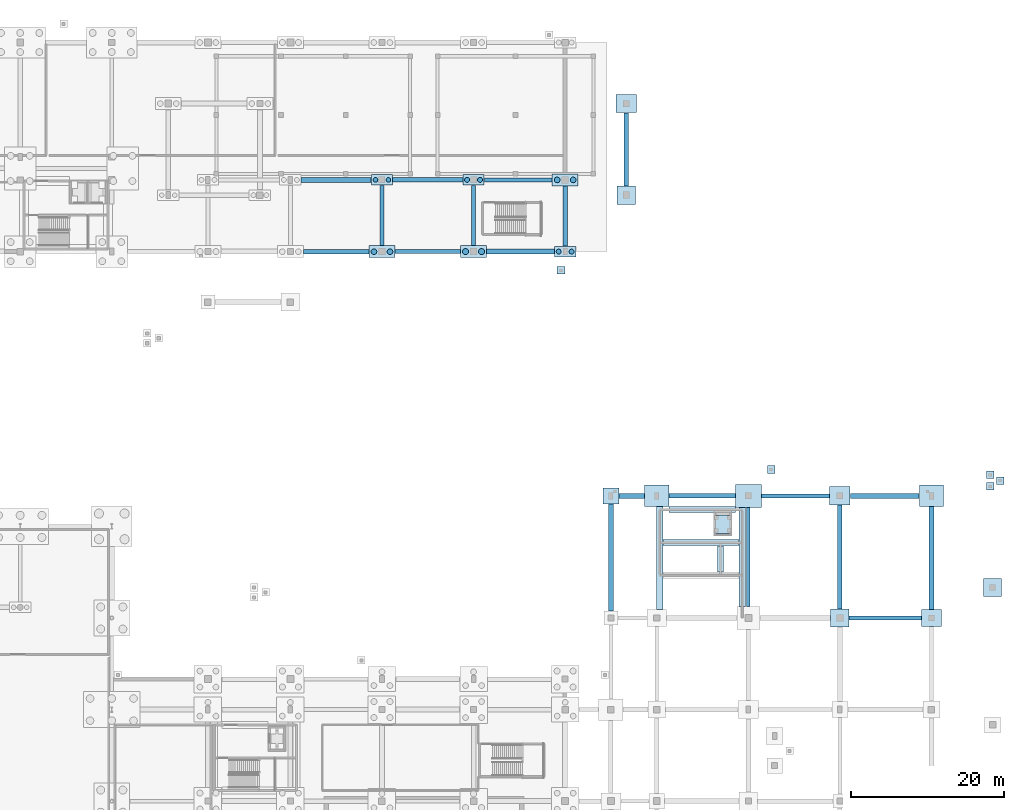
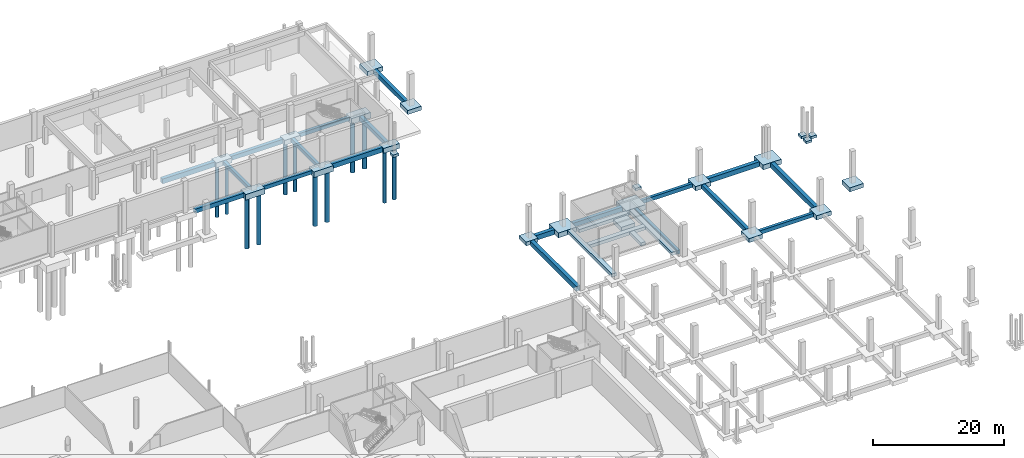
# One storey, part 7 of 42: 46 footings, 12 piles.
"""IFC4 building model written with IfcOpenShell, lengths in metres."""

from ifc_helpers import new_model, si_unit, direction, frame, origin, origin_2d, place, context, subcontext, project, spatial, rectangle, circle, extrude, material, material_profile, profile_set, type_object, element, save


model = new_model("IFC4")

# Units and contexts
model_context = context("Model", 3, precision=1e-05, world=origin(), true_north=direction((0.0, 1.0)))
body_context = subcontext(model_context, "Body", "Model", "MODEL_VIEW")
ifc_project = project(units=[si_unit("LENGTHUNIT", "METRE"), si_unit("AREAUNIT", "SQUARE_METRE"), si_unit("VOLUMEUNIT", "CUBIC_METRE"), si_unit("PLANEANGLEUNIT", "RADIAN"), si_unit("MASSUNIT", "GRAM", prefix="KILO"), si_unit("THERMODYNAMICTEMPERATUREUNIT", "KELVIN"), si_unit("POWERUNIT", "WATT")], contexts=[model_context])

# Site, building, storey
site_placement = place(None, origin())
site = spatial("IfcSite", under=ifc_project, at=site_placement, CompositionType="ELEMENT")
building_placement = place(site_placement, origin())
building = spatial("IfcBuilding", under=site, at=building_placement, Name="Solmara Park Aquatics Centre", CompositionType="ELEMENT")
storey_placement = place(building_placement, frame((0.0, 0.0, -5.39990234375)))
storey = spatial("IfcBuildingStorey", under=building, at=storey_placement, Name="B1", CompositionType="ELEMENT", Elevation=-5.39990234375)

# Footings
ifc_material = material(Name="Watertight Concrete C45/55", Category="concrete")
footing_type_1 = type_object("IfcFootingType", Name="STR-FB-500x700", PredefinedType="FOOTING_BEAM", material=ifc_material)
footing_1_placement = place(storey_placement, frame((197.949951171875, 60.60009765625, -1.25), z_axis=(0.0, 0.0, 1.0), x_axis=(1.0, 0.0, 0.0)))
element("IfcFooting", 1, at=footing_1_placement, inside=storey, type_object=footing_type_1, Name="Ground Tie Beam FB-054", PredefinedType="FOOTING_BEAM", context=body_context, shape_type="SweptSolid", body=[
    extrude(rectangle(XDim=9.47998046875, YDim=0.5, at=origin_2d()), origin(), (0.0, 0.0, 1.0), 0.699951171875),
])
footing_2_placement = place(storey_placement, frame((186.175048828125, 76.60009765625, -1.25), z_axis=(0.0, 0.0, 1.0), x_axis=(1.0, 0.0, 0.0)))
element("IfcFooting", 2, at=footing_2_placement, inside=storey, type_object=footing_type_1, Name="Ground Tie Beam FB-068", PredefinedType="FOOTING_BEAM", context=body_context, shape_type="SweptSolid", body=[
    extrude(rectangle(XDim=8.929931640625, YDim=0.5, at=origin_2d()), origin(), (0.0, 0.0, 1.0), 0.699951171875),
])
footing_3_placement = place(storey_placement, frame((138.0, 108.60009765625, -1.25), z_axis=(0.0, 0.0, 1.0), x_axis=(1.0, 0.0, 0.0)))
element("IfcFooting", 3, at=footing_3_placement, inside=storey, type_object=footing_type_1, Name="Ground Tie Beam FB-087", PredefinedType="FOOTING_BEAM", context=body_context, shape_type="SweptSolid", body=[
    extrude(rectangle(XDim=8.580078125, YDim=0.5, at=origin_2d()), origin(), (0.0, 0.0, 1.0), 0.699951171875),
])
footing_4_placement = place(storey_placement, frame((149.85009765625, 118.0, -1.25), z_axis=(0.0, 0.0, 1.0), x_axis=(1.0, 0.0, 0.0)))
element("IfcFooting", 4, at=footing_4_placement, inside=storey, type_object=footing_type_1, Name="Ground Tie Beam FB-093", PredefinedType="FOOTING_BEAM", context=body_context, shape_type="SweptSolid", body=[
    extrude(rectangle(XDim=8.8798828125, YDim=0.5, at=origin_2d()), origin(), (0.0, 0.0, 1.0), 0.699951171875),
])
for number, where, z_axis, x_axis, name in (
    (5, (132.0, 113.35009765625, -1.25), (0.0, 0.0, 1.0), (1.0, 0.0, 0.0), "Ground Tie Beam FB-170"),
    (6, (144.0, 113.35009765625, -1.25), (0.0, 0.0, 1.0), (1.0, 0.0, 0.0), "Ground Tie Beam FB-173"),
):
    element("IfcFooting", number, at=place(storey_placement, frame(where, z_axis=z_axis, x_axis=x_axis)), inside=storey, type_object=footing_type_1, Name=name, PredefinedType="FOOTING_BEAM", context=body_context, shape_type="SweptSolid", body=[
        extrude(rectangle(XDim=0.5, YDim=7.8798828125, at=origin_2d()), origin(), (0.0, 0.0, 1.0), 0.699951171875),
    ])
footing_5_placement = place(storey_placement, frame((180.0, 68.60009765625, -1.25), z_axis=(0.0, 0.0, 1.0), x_axis=(1.0, 0.0, 0.0)))
element("IfcFooting", 7, at=footing_5_placement, inside=storey, type_object=footing_type_1, Name="Ground Tie Beam FB-190", PredefinedType="FOOTING_BEAM", context=body_context, shape_type="SweptSolid", body=[
    extrude(rectangle(XDim=0.5, YDim=12.97998046875, at=origin_2d()), origin(), (0.0, 0.0, 1.0), 0.699951171875),
])
footing_type_2 = type_object("IfcFootingType", Name="STR-FB-600x800", PredefinedType="FOOTING_BEAM", material=ifc_material)
footing_6_placement = place(storey_placement, frame((173.949951171875, 76.60009765625, -1.35009765625), z_axis=(0.0, 0.0, 1.0), x_axis=(1.0, 0.0, 0.0)))
element("IfcFooting", 8, at=footing_6_placement, inside=storey, type_object=footing_type_2, Name="Ground Tie Beam FB-067", PredefinedType="FOOTING_BEAM", context=body_context, shape_type="SweptSolid", body=[
    extrude(rectangle(XDim=8.679931640625, YDim=0.60009765625, at=origin_2d()), origin(), (0.0, 0.0, 1.0), 0.800048828125),
])
footing_7_placement = place(storey_placement, frame((126.0, 108.60009765625, -1.35009765625), z_axis=(0.0, 0.0, 1.0), x_axis=(1.0, 0.0, 0.0)))
element("IfcFooting", 9, at=footing_7_placement, inside=storey, type_object=footing_type_2, Name="Ground Tie Beam FB-086", PredefinedType="FOOTING_BEAM", context=body_context, shape_type="SweptSolid", body=[
    extrude(rectangle(XDim=8.580078125, YDim=0.60009765625, at=origin_2d()), origin(), (0.0, 0.0, 1.0), 0.800048828125),
])
footing_8_placement = place(storey_placement, frame((138.0, 118.0, -1.35009765625), z_axis=(0.0, 0.0, 1.0), x_axis=(1.0, 0.0, 0.0)))
element("IfcFooting", 10, at=footing_8_placement, inside=storey, type_object=footing_type_2, Name="Ground Tie Beam FB-092", PredefinedType="FOOTING_BEAM", context=body_context, shape_type="SweptSolid", body=[
    extrude(rectangle(XDim=9.179931640625, YDim=0.60009765625, at=origin_2d()), origin(), (0.0, 0.0, 1.0), 0.800048828125),
])
footing_9_placement = place(storey_placement, frame((156.0, 113.25, -1.35009765625), z_axis=(0.0, 0.0, 1.0), x_axis=(1.0, 0.0, 0.0)))
element("IfcFooting", 11, at=footing_9_placement, inside=storey, type_object=footing_type_2, Name="Ground Tie Beam FB-175", PredefinedType="FOOTING_BEAM", context=body_context, shape_type="SweptSolid", body=[
    extrude(rectangle(XDim=0.60009765625, YDim=7.8798828125, at=origin_2d()), origin(), (0.0, 0.0, 1.0), 0.800048828125),
])
footing_10_placement = place(storey_placement, frame((164.0, 122.0, -1.35009765625), z_axis=(0.0, 0.0, 1.0), x_axis=(1.0, 0.0, 0.0)))
element("IfcFooting", 12, at=footing_10_placement, inside=storey, type_object=footing_type_2, Name="Ground Tie Beam FB-181", PredefinedType="FOOTING_BEAM", context=body_context, shape_type="SweptSolid", body=[
    extrude(rectangle(XDim=0.60009765625, YDim=9.580078125, at=origin_2d()), origin(), (0.0, 0.0, 1.0), 0.800048828125),
])
footing_11_placement = place(storey_placement, frame((192.0, 68.60009765625, -1.35009765625), z_axis=(0.0, 0.0, 1.0), x_axis=(1.0, 0.0, 0.0)))
element("IfcFooting", 13, at=footing_11_placement, inside=storey, type_object=footing_type_2, Name="Ground Tie Beam FB-195", PredefinedType="FOOTING_BEAM", context=body_context, shape_type="SweptSolid", body=[
    extrude(rectangle(XDim=0.60009765625, YDim=13.580078125, at=origin_2d()), origin(), (0.0, 0.0, 1.0), 0.800048828125),
])
footing_type_3 = type_object("IfcFootingType", Name="STR-FB-650x900", PredefinedType="FOOTING_BEAM", material=ifc_material)
footing_12_placement = place(storey_placement, frame((164.72509765625, 76.60009765625, -1.449951171875), z_axis=(0.0, 0.0, 1.0), x_axis=(1.0, 0.0, 0.0)))
element("IfcFooting", 14, at=footing_12_placement, inside=storey, type_object=footing_type_3, Name="Ground Tie Beam FB-066", PredefinedType="FOOTING_BEAM", context=body_context, shape_type="SweptSolid", body=[
    extrude(rectangle(XDim=3.330078125, YDim=0.64990234375, at=origin_2d()), origin(), (0.0, 0.0, 1.0), 0.89990234375),
])
footing_13_placement = place(storey_placement, frame((197.875, 76.60009765625, -1.449951171875), z_axis=(0.0, 0.0, 1.0), x_axis=(1.0, 0.0, 0.0)))
element("IfcFooting", 15, at=footing_13_placement, inside=storey, type_object=footing_type_3, Name="Ground Tie Beam FB-069", PredefinedType="FOOTING_BEAM", context=body_context, shape_type="SweptSolid", body=[
    extrude(rectangle(XDim=9.030029296875, YDim=0.64990234375, at=origin_2d()), origin(), (0.0, 0.0, 1.0), 0.89990234375),
])
footing_14_placement = place(storey_placement, frame((150.14990234375, 108.60009765625, -1.449951171875), z_axis=(0.0, 0.0, 1.0), x_axis=(1.0, 0.0, 0.0)))
element("IfcFooting", 16, at=footing_14_placement, inside=storey, type_object=footing_type_3, Name="Ground Tie Beam FB-088", PredefinedType="FOOTING_BEAM", context=body_context, shape_type="SweptSolid", body=[
    extrude(rectangle(XDim=8.8798828125, YDim=0.64990234375, at=origin_2d()), origin(), (0.0, 0.0, 1.0), 0.89990234375),
])
footing_15_placement = place(storey_placement, frame((126.0, 118.0, -1.449951171875), z_axis=(0.0, 0.0, 1.0), x_axis=(1.0, 0.0, 0.0)))
element("IfcFooting", 17, at=footing_15_placement, inside=storey, type_object=footing_type_3, Name="Ground Tie Beam FB-091", PredefinedType="FOOTING_BEAM", context=body_context, shape_type="SweptSolid", body=[
    extrude(rectangle(XDim=9.179931640625, YDim=0.64990234375, at=origin_2d()), origin(), (0.0, 0.0, 1.0), 0.89990234375),
])
footing_16_placement = place(storey_placement, frame((162.0, 68.52490234375, -1.449951171875), z_axis=(0.0, 0.0, 1.0), x_axis=(1.0, 0.0, 0.0)))
element("IfcFooting", 18, at=footing_16_placement, inside=storey, type_object=footing_type_3, Name="Ground Tie Beam FB-180", PredefinedType="FOOTING_BEAM", context=body_context, shape_type="SweptSolid", body=[
    extrude(rectangle(XDim=0.64990234375, YDim=14.030029296875, at=origin_2d()), origin(), (0.0, 0.0, 1.0), 0.89990234375),
])
footing_17_placement = place(storey_placement, frame((204.0, 68.449951171875, -1.449951171875), z_axis=(0.0, 0.0, 1.0), x_axis=(1.0, 0.0, 0.0)))
element("IfcFooting", 19, at=footing_17_placement, inside=storey, type_object=footing_type_3, Name="Ground Tie Beam FB-200", PredefinedType="FOOTING_BEAM", context=body_context, shape_type="SweptSolid", body=[
    extrude(rectangle(XDim=0.64990234375, YDim=13.47998046875, at=origin_2d()), origin(), (0.0, 0.0, 1.0), 0.89990234375),
])
footing_type_4 = type_object("IfcFootingType", Name="STR-PC-2P600", PredefinedType="PILE_CAP", material=ifc_material)
for number, where, z_axis, x_axis, name in (
    (20, (132.0, 118.0, -1.449951171875), (0.0, 0.0, 1.0), (1.0, 0.0, 0.0), "Pile Cap PC-093"),
    (21, (144.0, 118.0, -1.449951171875), (0.0, 0.0, 1.0), (1.0, 0.0, 0.0), "Pile Cap PC-100"),
    (22, (156.0, 108.60009765625, -1.449951171875), (0.0, 0.0, 1.0), (1.0, 0.0, 0.0), "Pile Cap PC-106"),
):
    element("IfcFooting", number, at=place(storey_placement, frame(where, z_axis=z_axis, x_axis=x_axis)), inside=storey, type_object=footing_type_4, Name=name, PredefinedType="PILE_CAP", context=body_context, shape_type="SweptSolid", body=[
        extrude(rectangle(XDim=2.800048828125, YDim=1.39990234375, at=origin_2d()), origin(), (0.0, 0.0, 1.0), 0.89990234375),
    ])
footing_type_5 = type_object("IfcFootingType", Name="STR-PC-2P750", PredefinedType="PILE_CAP", material=ifc_material)
for number, where, z_axis, x_axis, name in (
    (23, (132.0, 108.60009765625, -1.60009765625), (0.0, 0.0, 1.0), (1.0, 0.0, 0.0), "Pile Cap PC-092"),
    (24, (144.0, 108.60009765625, -1.60009765625), (0.0, 0.0, 1.0), (1.0, 0.0, 0.0), "Pile Cap PC-099"),
    (25, (156.0, 118.0, -1.60009765625), (0.0, 0.0, 1.0), (1.0, 0.0, 0.0), "Pile Cap PC-107"),
):
    element("IfcFooting", number, at=place(storey_placement, frame(where, z_axis=z_axis, x_axis=x_axis)), inside=storey, type_object=footing_type_5, Name=name, PredefinedType="PILE_CAP", context=body_context, shape_type="SweptSolid", body=[
        extrude(rectangle(XDim=3.39990234375, YDim=1.60009765625, at=origin_2d()), origin(), (0.0, 0.0, 1.0), 1.050048828125),
    ])
footing_type_6 = type_object("IfcFootingType", Name="STR-PF-1000", PredefinedType="PAD_FOOTING", material=ifc_material)
for number, where, z_axis, x_axis, name in (
    (26, (155.449951171875, 106.14990234375, -1.0), (0.0, 0.0, 1.0), (1.0, 0.0, 0.0), "Apron Foundation Pier SLB-L00-APR-C-2 Footing"),
    (27, (183.0, 80.050048828125, -1.0), (0.0, 0.0, 1.0), (1.0, 0.0, 0.0), "Apron Foundation Pier SLB-L00-APR-V3N-3 Footing"),
    (28, (211.699951171875, 77.85009765625, -1.0), (0.0, 0.0, 1.0), (1.0, 0.0, 0.0), "Main Park Entrance North Accessible Ramp Foundation Pier 1 Footing"),
    (29, (211.699951171875, 79.35009765625, -1.0), (0.0, 0.0, 1.0), (1.0, 0.0, 0.0), "Main Park Entrance North Accessible Ramp Foundation Pier 2 Footing"),
    (30, (213.0, 78.60009765625, -1.0), (0.0, 0.0, 1.0), (1.0, 0.0, 0.0), "Main Park Entrance North Accessible Ramp Foundation Pier 3 Footing"),
):
    element("IfcFooting", number, at=place(storey_placement, frame(where, z_axis=z_axis, x_axis=x_axis)), inside=storey, type_object=footing_type_6, Name=name, PredefinedType="PAD_FOOTING", context=body_context, shape_type="SweptSolid", body=[
        extrude(rectangle(XDim=1.0, YDim=1.0, at=origin_2d()), origin(), (0.0, 0.0, 1.0), 0.449951171875),
    ])
footing_type_7 = type_object("IfcFootingType", Name="STR-PF-2100", PredefinedType="PAD_FOOTING", material=ifc_material)
footing_18_placement = place(storey_placement, frame((162.0, 76.60009765625, -1.25), z_axis=(0.0, 0.0, 1.0), x_axis=(1.0, 0.0, 0.0)))
element("IfcFooting", 31, at=footing_18_placement, inside=storey, type_object=footing_type_7, Name="Pad Footing PF-012", PredefinedType="PAD_FOOTING", context=body_context, shape_type="SweptSolid", body=[
    extrude(rectangle(XDim=2.10009765625, YDim=2.10009765625, at=origin_2d()), origin(), (0.0, 0.0, 1.0), 0.699951171875),
])
footing_type_8 = type_object("IfcFootingType", Name="STR-PF-2400", PredefinedType="PAD_FOOTING", material=ifc_material)
for number, where, z_axis, x_axis, name in (
    (32, (164.0, 116.0, -1.300048828125), (0.0, 0.0, 1.0), (1.0, 0.0, 0.0), "Pad Footing PF-013"),
    (33, (192.0, 60.60009765625, -1.300048828125), (0.0, 0.0, 1.0), (1.0, 0.0, 0.0), "Pad Footing PF-033"),
    (34, (212.0, 64.60009765625, -1.300048828125), (0.0, 0.0, 1.0), (1.0, 0.0, 0.0), "Pad Footing PF-043"),
    (35, (176.64990234375, 72.89990234375, -1.300048828125), (0.0, 0.0, 1.0), (1.0, 0.0, 0.0), "Lift Shaft LF-07 Pit Pad Footing"),
):
    element("IfcFooting", number, at=place(storey_placement, frame(where, z_axis=z_axis, x_axis=x_axis)), inside=storey, type_object=footing_type_8, Name=name, PredefinedType="PAD_FOOTING", context=body_context, shape_type="SweptSolid", body=[
        extrude(rectangle(XDim=2.39990234375, YDim=2.39990234375, at=origin_2d()), origin(), (0.0, 0.0, 1.0), 0.75),
    ])
footing_type_9 = type_object("IfcFootingType", Name="STR-PF-2600", PredefinedType="PAD_FOOTING", material=ifc_material)
footing_19_placement = place(storey_placement, frame((204.0, 60.60009765625, -1.330078125), z_axis=(0.0, 0.0, 1.0), x_axis=(1.0, 0.0, 0.0)))
element("IfcFooting", 36, at=footing_19_placement, inside=storey, type_object=footing_type_9, Name="Pad Footing PF-039", PredefinedType="PAD_FOOTING", context=body_context, shape_type="SweptSolid", body=[
    extrude(rectangle(XDim=2.60009765625, YDim=2.199951171875, at=origin_2d()), origin(), (0.0, 0.0, 1.0), 0.780029296875),
])
footing_type_10 = type_object("IfcFootingType", Name="STR-PF-2700", PredefinedType="PAD_FOOTING", material=ifc_material)
for number, where, z_axis, x_axis, name in (
    (37, (164.0, 128.0, -1.35009765625), (0.0, 0.0, 1.0), (1.0, 0.0, 0.0), "Pad Footing PF-014"),
    (38, (192.0, 76.60009765625, -1.35009765625), (0.0, 0.0, 1.0), (1.0, 0.0, 0.0), "Pad Footing PF-034"),
):
    element("IfcFooting", number, at=place(storey_placement, frame(where, z_axis=z_axis, x_axis=x_axis)), inside=storey, type_object=footing_type_10, Name=name, PredefinedType="PAD_FOOTING", context=body_context, shape_type="SweptSolid", body=[
        extrude(rectangle(XDim=2.699951171875, YDim=2.39990234375, at=origin_2d()), origin(), (0.0, 0.0, 1.0), 0.800048828125),
    ])
footing_type_11 = type_object("IfcFootingType", Name="STR-PF-3200", PredefinedType="PAD_FOOTING", material=ifc_material)
for number, where, z_axis, x_axis, name in (
    (39, (168.0, 76.60009765625, -1.449951171875), (0.0, 0.0, 1.0), (1.0, 0.0, 0.0), "Pad Footing PF-020"),
    (40, (204.0, 76.60009765625, -1.449951171875), (0.0, 0.0, 1.0), (1.0, 0.0, 0.0), "Pad Footing PF-040"),
):
    element("IfcFooting", number, at=place(storey_placement, frame(where, z_axis=z_axis, x_axis=x_axis)), inside=storey, type_object=footing_type_11, Name=name, PredefinedType="PAD_FOOTING", context=body_context, shape_type="SweptSolid", body=[
        extrude(rectangle(XDim=3.199951171875, YDim=2.800048828125, at=origin_2d()), origin(), (0.0, 0.0, 1.0), 0.89990234375),
    ])
footing_type_12 = type_object("IfcFootingType", Name="STR-PF-3400", PredefinedType="PAD_FOOTING", material=ifc_material)
footing_20_placement = place(storey_placement, frame((180.0, 76.60009765625, -1.5), z_axis=(0.0, 0.0, 1.0), x_axis=(1.0, 0.0, 0.0)))
element("IfcFooting", 41, at=footing_20_placement, inside=storey, type_object=footing_type_12, Name="Pad Footing PF-026", PredefinedType="PAD_FOOTING", context=body_context, shape_type="SweptSolid", body=[
    extrude(rectangle(XDim=3.39990234375, YDim=3.0, at=origin_2d()), origin(), (0.0, 0.0, 1.0), 0.949951171875),
])

# Piles
ifc_material_profile_1 = material_profile(ifc_material, circle(Radius=0.300048828125, at=origin_2d()), Name="BORED PILE D600")
ifc_profile_set_1 = profile_set([ifc_material_profile_1], Name="Watertight Concrete C45/55")
pile_type_1 = type_object("IfcPileType", Name="STR-PILE-D600", PredefinedType="BORED", material=ifc_profile_set_1)
for number, where, z_axis, x_axis, name in (
    (42, (131.14990234375, 118.0, -1.35009765625), (0.0, 0.0, -1.0), (1.0, 0.0, 0.0), "Bored Pile PL-0317"),
    (43, (132.85009765625, 118.0, -1.35009765625), (0.0, 0.0, -1.0), (1.0, 0.0, 0.0), "Bored Pile PL-0318"),
):
    element("IfcPile", number, at=place(storey_placement, frame(where, z_axis=z_axis, x_axis=x_axis)), inside=storey, type_object=pile_type_1, Name=name, PredefinedType="BORED", context=body_context, shape_type="SweptSolid", body=[
        extrude(circle(Radius=0.300048828125, at=origin_2d()), origin(), (0.0, 0.0, 1.0), 9.75),
    ])
ifc_material_profile_2 = material_profile(ifc_material, circle(Radius=0.324951171875, at=origin_2d()), Name="BORED PILE D650")
ifc_profile_set_2 = profile_set([ifc_material_profile_2], Name="Watertight Concrete C45/55")
pile_type_2 = type_object("IfcPileType", Name="STR-PILE-D650", PredefinedType="BORED", material=ifc_profile_set_2)
for number, where, z_axis, x_axis, name in (
    (44, (143.14990234375, 118.0, -1.35009765625), (0.0, 0.0, -1.0), (1.0, 0.0, 0.0), "Bored Pile PL-0337"),
    (45, (144.85009765625, 118.0, -1.35009765625), (0.0, 0.0, -1.0), (1.0, 0.0, 0.0), "Bored Pile PL-0338"),
    (46, (155.14990234375, 108.60009765625, -1.35009765625), (0.0, 0.0, -1.0), (1.0, 0.0, 0.0), "Bored Pile PL-0355"),
    (47, (156.85009765625, 108.60009765625, -1.35009765625), (0.0, 0.0, -1.0), (1.0, 0.0, 0.0), "Bored Pile PL-0356"),
):
    element("IfcPile", number, at=place(storey_placement, frame(where, z_axis=z_axis, x_axis=x_axis)), inside=storey, type_object=pile_type_2, Name=name, PredefinedType="BORED", context=body_context, shape_type="SweptSolid", body=[
        extrude(circle(Radius=0.324951171875, at=origin_2d()), origin(), (0.0, 0.0, 1.0), 9.75),
    ])
ifc_material_profile_3 = material_profile(ifc_material, circle(Radius=0.375, at=origin_2d()), Name="BORED PILE D750")
ifc_profile_set_3 = profile_set([ifc_material_profile_3], Name="Watertight Concrete C45/55")
pile_type_3 = type_object("IfcPileType", Name="STR-PILE-D750", PredefinedType="BORED", material=ifc_profile_set_3)
for number, where, z_axis, x_axis, name in (
    (48, (130.949951171875, 108.60009765625, -1.5), (0.0, 0.0, -1.0), (1.0, 0.0, 0.0), "Bored Pile PL-0315"),
    (49, (133.050048828125, 108.60009765625, -1.5), (0.0, 0.0, -1.0), (1.0, 0.0, 0.0), "Bored Pile PL-0316"),
    (50, (154.949951171875, 118.0, -1.5), (0.0, 0.0, -1.0), (1.0, 0.0, 0.0), "Bored Pile PL-0357"),
    (51, (157.050048828125, 118.0, -1.5), (0.0, 0.0, -1.0), (1.0, 0.0, 0.0), "Bored Pile PL-0358"),
):
    element("IfcPile", number, at=place(storey_placement, frame(where, z_axis=z_axis, x_axis=x_axis)), inside=storey, type_object=pile_type_3, Name=name, PredefinedType="BORED", context=body_context, shape_type="SweptSolid", body=[
        extrude(circle(Radius=0.375, at=origin_2d()), origin(), (0.0, 0.0, 1.0), 9.60009765625),
    ])
ifc_material_profile_4 = material_profile(ifc_material, circle(Radius=0.39990234375, at=origin_2d()), Name="BORED PILE D800")
ifc_profile_set_4 = profile_set([ifc_material_profile_4], Name="Watertight Concrete C45/55")
pile_type_4 = type_object("IfcPileType", Name="STR-PILE-D800", PredefinedType="BORED", material=ifc_profile_set_4)
for number, where, z_axis, x_axis, name in (
    (52, (142.949951171875, 108.60009765625, -1.5), (0.0, 0.0, -1.0), (1.0, 0.0, 0.0), "Bored Pile PL-0335"),
    (53, (145.050048828125, 108.60009765625, -1.5), (0.0, 0.0, -1.0), (1.0, 0.0, 0.0), "Bored Pile PL-0336"),
):
    element("IfcPile", number, at=place(storey_placement, frame(where, z_axis=z_axis, x_axis=x_axis)), inside=storey, type_object=pile_type_4, Name=name, PredefinedType="BORED", context=body_context, shape_type="SweptSolid", body=[
        extrude(circle(Radius=0.39990234375, at=origin_2d()), origin(), (0.0, 0.0, 1.0), 9.60009765625),
    ])

# Footings
footing_type_13 = type_object("IfcFootingType", Name="STR-SF-800x600", PredefinedType="STRIP_FOOTING", material=ifc_material)
footing_21_placement = place(storey_placement, frame((168.39990234375, 68.449951171875, -1.150146484375), z_axis=(0.0, 0.0, 1.0), x_axis=(1.0, 0.0, 0.0)))
element("IfcFooting", 54, at=footing_21_placement, inside=storey, type_object=footing_type_13, Name="CORE-5 Strip Footing CORE-5-SF-B1-W", PredefinedType="STRIP_FOOTING", context=body_context, shape_type="SweptSolid", body=[
    extrude(rectangle(XDim=0.800048828125, YDim=13.47998046875, at=origin_2d()), origin(), (0.0, 0.0, 1.0), 0.60009765625),
])
footing_22_placement = place(storey_placement, frame((179.199951171875, 68.60009765625, -1.150146484375), z_axis=(0.0, 0.0, 1.0), x_axis=(1.0, 0.0, 0.0)))
element("IfcFooting", 55, at=footing_22_placement, inside=storey, type_object=footing_type_13, Name="CORE-5 Strip Footing CORE-5-SF-B1-E", PredefinedType="STRIP_FOOTING", context=body_context, shape_type="SweptSolid", body=[
    extrude(rectangle(XDim=0.800048828125, YDim=12.97998046875, at=origin_2d()), origin(), (0.0, 0.0, 1.0), 0.60009765625),
])
footing_23_placement = place(storey_placement, frame((173.949951171875, 74.800048828125, -1.150146484375), z_axis=(0.0, 0.0, 1.0), x_axis=(1.0, 0.0, 0.0)))
element("IfcFooting", 56, at=footing_23_placement, inside=storey, type_object=footing_type_13, Name="CORE-5 Strip Footing CORE-5-SF-B1-N", PredefinedType="STRIP_FOOTING", context=body_context, shape_type="SweptSolid", body=[
    extrude(rectangle(XDim=8.679931640625, YDim=0.800048828125, at=origin_2d()), origin(), (0.0, 0.0, 1.0), 0.60009765625),
])
footing_24_placement = place(storey_placement, frame((173.800048828125, 70.47509765625, -1.150146484375), z_axis=(0.0, 0.0, 1.0), x_axis=(1.0, 0.0, 0.0)))
element("IfcFooting", 57, at=footing_24_placement, inside=storey, type_object=footing_type_13, Name="CORE-5 Strip Footing CORE-5-SF-B1-DIV", PredefinedType="STRIP_FOOTING", context=body_context, shape_type="SweptSolid", body=[
    extrude(rectangle(XDim=9.97998046875, YDim=0.800048828125, at=origin_2d()), origin(), (0.0, 0.0, 1.0), 0.60009765625),
])
footing_25_placement = place(storey_placement, frame((176.360107421875, 68.33740234375, -1.150146484375), z_axis=(0.0, 0.0, 1.0), x_axis=(1.0, 0.0, 0.0)))
element("IfcFooting", 58, at=footing_25_placement, inside=storey, type_object=footing_type_13, Name="CORE-5 Strip Footing CORE-5-SF-B1-STE", PredefinedType="STRIP_FOOTING", context=body_context, shape_type="SweptSolid", body=[
    extrude(rectangle(XDim=0.800048828125, YDim=3.455078125, at=origin_2d()), origin(), (0.0, 0.0, 1.0), 0.60009765625),
])

save(model, "model.ifc")
